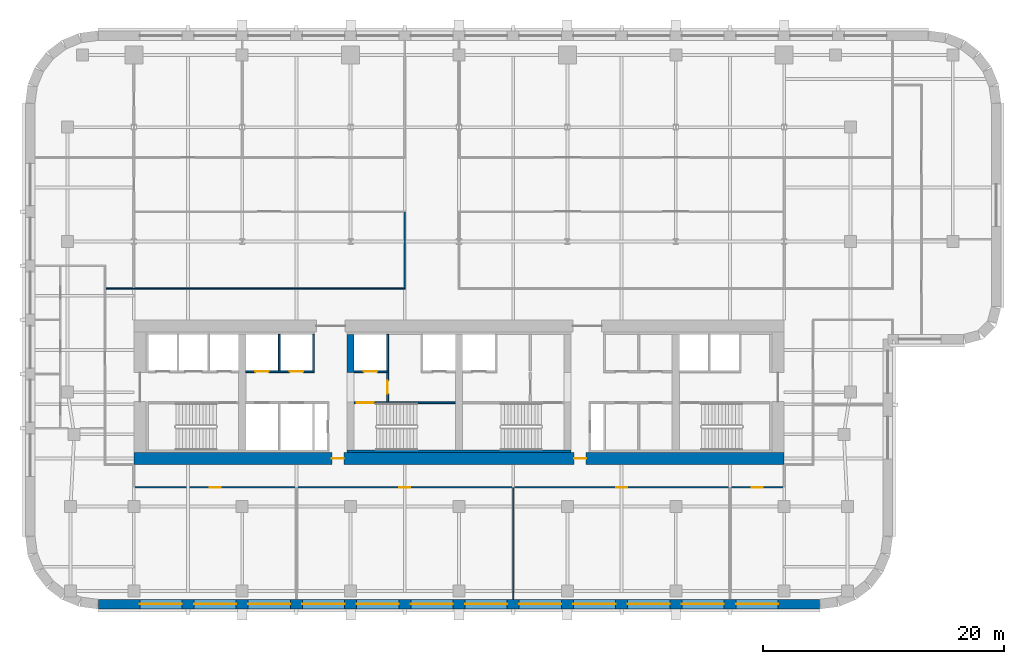
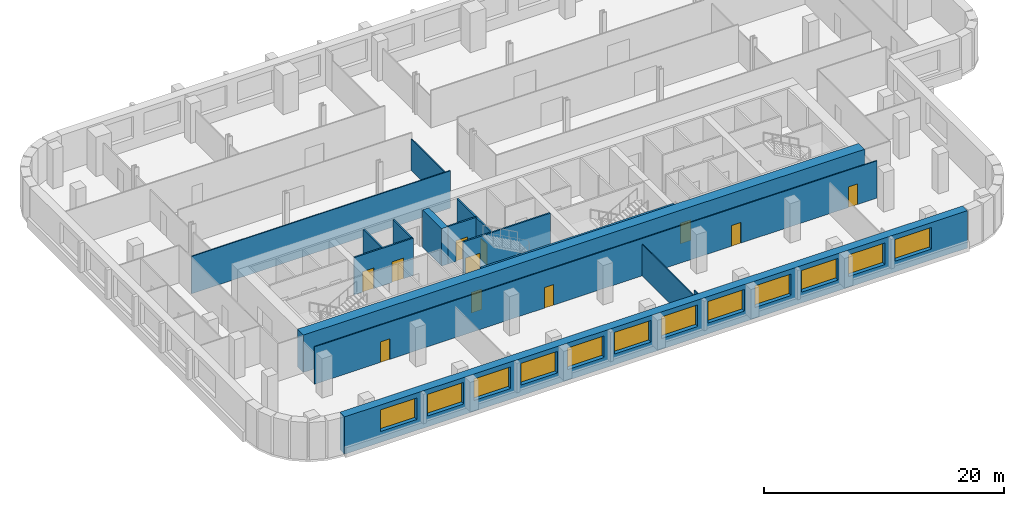
# One storey, part 4 of 10: 16 walls, 12 windows, 11 doors, 23 openings.
"""IFC4 building model written with IfcOpenShell, lengths in metres."""

from ifc_helpers import new_model, si_unit, direction, frame, frame_2d, origin, place, context, subcontext, project, spatial, rectangle, extrude, material, layer, layer_set, type_object, element, fill, save


model = new_model("IFC4")

# Units and contexts
model_context = context("Model", 3, precision=1e-05, world=origin(), true_north=direction((0.0, 1.0)))
body_context = subcontext(model_context, "Body", "Model", "MODEL_VIEW")
ifc_project = project(units=[si_unit("LENGTHUNIT", "METRE"), si_unit("AREAUNIT", "SQUARE_METRE"), si_unit("VOLUMEUNIT", "CUBIC_METRE"), si_unit("PLANEANGLEUNIT", "RADIAN"), si_unit("MASSUNIT", "GRAM", prefix="KILO")], contexts=[model_context])

# Site, building, storey
site_placement = place(None, origin())
site = spatial("IfcSite", under=ifc_project, at=site_placement, CompositionType="ELEMENT")
building_placement = place(site_placement, origin())
building = spatial("IfcBuilding", under=site, at=building_placement, Name="Zellij Exchange Tower", CompositionType="ELEMENT")
storey_placement = place(building_placement, frame((0.0, 0.0, 124.5)))
storey = spatial("IfcBuildingStorey", under=building, at=storey_placement, Name="L27", CompositionType="ELEMENT", Elevation=124.5)

# Walls
ifc_material_1 = material(Name="Concrete C70/85", Category="concrete")
ifc_layer_1 = layer(ifc_material_1, 0.60009765625)
ifc_layer_set_1 = layer_set([ifc_layer_1], Name="Concrete C70/85")
wall_type_1 = type_object("IfcWallType", Name="CORE-CW 600 C70/85", PredefinedType="SHEAR", material=ifc_layer_set_1)
wall_1_placement = place(storey_placement, frame((-9.0, -6.375, 0.0), z_axis=(0.0, 0.0, 1.0), x_axis=(0.0, 1.0, 0.0)))
element("IfcWall", 1, at=wall_1_placement, inside=storey, type_object=wall_type_1, Name="Core cross wall pier x -9 b L27", PredefinedType="SHEAR", context=body_context, shape_type="SweptSolid", body=[
    extrude(rectangle(XDim=3.175048828125, YDim=0.60009765625, at=frame_2d((1.58740234375, 0.0))), origin(), (0.0, 0.0, 1.0), 3.800048828125),
])
ifc_material_2 = material(Name="Concrete C30/37", Category="concrete")
ifc_layer_2 = layer(ifc_material_2, 0.199951171875)
ifc_layer_set_2 = layer_set([ifc_layer_2], Name="Concrete C30/37")
wall_type_2 = type_object("IfcWallType", Name="CORE-LW 200 C30/37", PredefinedType="SHEAR", material=ifc_layer_set_2)
wall_2_placement = place(storey_placement, frame((-9.300048828125, -12.89990234375, 0.0), z_axis=(0.0, 0.0, 1.0), x_axis=(1.0, 0.0, 0.0)))
element("IfcWall", 2, at=wall_2_placement, inside=storey, type_object=wall_type_2, Name="Core wall lining rear.1 L27", PredefinedType="SHEAR", context=body_context, shape_type="SweptSolid", body=[
    extrude(rectangle(XDim=18.60009765625, YDim=0.199951171875, at=frame_2d((9.300048828125, 0.0))), origin(), (0.0, 0.0, 1.0), 3.800048828125),
])

# Wall, opening, door
ifc_material_3 = material(Name="Gypsum shaft wall system")
ifc_layer_3 = layer(ifc_material_3, 0.14990234375)
ifc_layer_set_3 = layer_set([ifc_layer_3], Name="Gypsum shaft wall system")
wall_type_3 = type_object("IfcWallType", Name="CORE-PW 150 Firefighting lobby wall", PredefinedType="PARTITIONING", material=ifc_layer_set_3)
wall_3_placement = place(storey_placement, frame((-5.925048828125, -8.800048828125, 0.0), z_axis=(0.0, 0.0, 1.0), x_axis=(0.0, 1.0, 0.0)))
wall_3 = element("IfcWall", 3, at=wall_3_placement, inside=storey, type_object=wall_type_3, Name="Firefighting lobby wall L27", PredefinedType="PARTITIONING", context=body_context, shape_type="SweptSolid", body=[
    extrude(rectangle(XDim=2.425048828125, YDim=0.14990234375, at=frame_2d((1.21240234375, 0.0))), origin(), (0.0, 0.0, 1.0), 3.800048828125),
])
opening_1_placement = place(wall_3_placement, frame((0.662109375, 0.0, 0.0)))
opening_1 = element("IfcOpeningElement", 4, at=opening_1_placement, cuts=wall_3, Name="Opening CA-15.15", PredefinedType="OPENING", context=body_context, shape_type="SweptSolid", body=[
    extrude(rectangle(XDim=1.10009765625, YDim=2.10009765625, at=frame_2d((0.550048828125, 1.050048828125))), frame((0.0, 0.0869140625, 0.0), z_axis=(0.0, -1.0, 0.0), x_axis=(1.0, 0.0, 0.0)), (0.0, 0.0, 1.0), 0.173828125),
])
ifc_material_4 = material(Name="Hollow metal fire door")
door_type_1 = type_object("IfcDoorType", Name="CORE-D F Firefighting lobby door 1100x2100 1 HR", OperationType="NOTDEFINED", PredefinedType="DOOR", material=ifc_material_4)
door_1_placement = place(opening_1_placement, origin())
door_1 = element("IfcDoor", 5, at=door_1_placement, inside=storey, type_object=door_type_1, Name="Firefighting lobby door CA-15.15", OperationType="SINGLE_SWING_LEFT", OverallHeight=2.10009765625, OverallWidth=1.10009765625, PredefinedType="DOOR", context=body_context, shape_type="SweptSolid", body=[
    extrude(rectangle(XDim=1.10009765625, YDim=2.10009765625, at=frame_2d((0.550048828125, 1.050048828125))), frame((0.0, 0.02490234375, 0.0), z_axis=(0.0, -1.0, 0.0), x_axis=(1.0, 0.0, 0.0)), (0.0, 0.0, 1.0), 0.050048828125),
])
fill(opening_1, door_1)

# Walls
ifc_layer_4 = layer(ifc_material_3, 0.14990234375)
ifc_layer_set_4 = layer_set([ifc_layer_4], Name="Gypsum shaft wall system")
wall_type_4 = type_object("IfcWallType", Name="CORE-PW 150 Lift shaft wall", PredefinedType="PARTITIONING", material=ifc_layer_set_4)
for number, where, z_axis, x_axis, name in (
    (6, (-12.074951171875, -6.22509765625, 0.0), (0.0, 0.0, 1.0), (0.0, 1.0, 0.0), "Lift shaft wall L27"),
    (7, (-14.925048828125, -6.22509765625, 0.0), (0.0, 0.0, 1.0), (0.0, 1.0, 0.0), "Lift shaft wall L27"),
    (8, (-5.925048828125, -6.22509765625, 0.0), (0.0, 0.0, 1.0), (0.0, 1.0, 0.0), "Lift shaft wall L27"),
):
    element("IfcWall", number, at=place(storey_placement, frame(where, z_axis=z_axis, x_axis=x_axis)), inside=storey, type_object=wall_type_4, Name=name, PredefinedType="PARTITIONING", context=body_context, shape_type="SweptSolid", body=[
        extrude(rectangle(XDim=3.025146484375, YDim=0.14990234375, at=frame_2d((1.5126953125, 0.0))), origin(), (0.0, 0.0, 1.0), 3.800048828125),
    ])

# Wall, openings, doors
wall_4_placement = place(storey_placement, frame((-17.699951171875, -6.300048828125, 0.0), z_axis=(0.0, 0.0, 1.0), x_axis=(1.0, 0.0, 0.0)))
wall_4 = element("IfcWall", 9, at=wall_4_placement, inside=storey, type_object=wall_type_4, Name="Lift shaft wall L27", PredefinedType="PARTITIONING", context=body_context, shape_type="SweptSolid", body=[
    extrude(rectangle(XDim=5.699951171875, YDim=0.14990234375, at=frame_2d((2.85009765625, 0.0))), origin(), (0.0, 0.0, 1.0), 3.800048828125),
])
opening_2_placement = place(wall_4_placement, frame((0.800048828125, 0.0, 0.0)))
opening_2 = element("IfcOpeningElement", 10, at=opening_2_placement, cuts=wall_4, Name="Opening CA-15.07", PredefinedType="OPENING", context=body_context, shape_type="SweptSolid", body=[
    extrude(rectangle(XDim=1.10009765625, YDim=2.10009765625, at=frame_2d((0.550048828125, 1.050048828125))), frame((0.0, 0.0869140625, 0.0), z_axis=(0.0, -1.0, 0.0), x_axis=(1.0, 0.0, 0.0)), (0.0, 0.0, 1.0), 0.173828125),
])
opening_3_placement = place(wall_4_placement, frame((3.64990234375, 0.0, 0.0)))
opening_3 = element("IfcOpeningElement", 11, at=opening_3_placement, cuts=wall_4, Name="Opening CA-15.09", PredefinedType="OPENING", context=body_context, shape_type="SweptSolid", body=[
    extrude(rectangle(XDim=1.10009765625, YDim=2.10009765625, at=frame_2d((0.550048828125, 1.050048828125))), frame((0.0, 0.0869140625, 0.0), z_axis=(0.0, -1.0, 0.0), x_axis=(1.0, 0.0, 0.0)), (0.0, 0.0, 1.0), 0.173828125),
])
door_type_2 = type_object("IfcDoorType", Name="CORE-D LD Lift landing door 1100x2100 1.5 HR", OperationType="NOTDEFINED", PredefinedType="DOOR", material=ifc_material_4)
door_2_placement = place(opening_2_placement, origin())
door_2 = element("IfcDoor", 12, at=door_2_placement, inside=storey, type_object=door_type_2, Name="Lift landing door CA-15.07", OperationType="SLIDING_TO_LEFT", OverallHeight=2.10009765625, OverallWidth=1.10009765625, PredefinedType="DOOR", context=body_context, shape_type="SweptSolid", body=[
    extrude(rectangle(XDim=1.10009765625, YDim=2.10009765625, at=frame_2d((0.550048828125, 1.050048828125))), frame((0.0, 0.02490234375, 0.0), z_axis=(0.0, -1.0, 0.0), x_axis=(1.0, 0.0, 0.0)), (0.0, 0.0, 1.0), 0.050048828125),
])
fill(opening_2, door_2)
door_3_placement = place(opening_3_placement, origin())
door_3 = element("IfcDoor", 13, at=door_3_placement, inside=storey, type_object=door_type_2, Name="Lift landing door CA-15.09", OperationType="SLIDING_TO_LEFT", OverallHeight=2.10009765625, OverallWidth=1.10009765625, PredefinedType="DOOR", context=body_context, shape_type="SweptSolid", body=[
    extrude(rectangle(XDim=1.10009765625, YDim=2.10009765625, at=frame_2d((0.550048828125, 1.050048828125))), frame((0.0, 0.02490234375, 0.0), z_axis=(0.0, -1.0, 0.0), x_axis=(1.0, 0.0, 0.0)), (0.0, 0.0, 1.0), 0.050048828125),
])
fill(opening_3, door_3)

# Wall, opening, door
wall_5_placement = place(storey_placement, frame((-8.699951171875, -6.300048828125, 0.0), z_axis=(0.0, 0.0, 1.0), x_axis=(1.0, 0.0, 0.0)))
wall_5 = element("IfcWall", 14, at=wall_5_placement, inside=storey, type_object=wall_type_4, Name="Lift shaft wall L27", PredefinedType="PARTITIONING", context=body_context, shape_type="SweptSolid", body=[
    extrude(rectangle(XDim=2.849853515625, YDim=0.14990234375, at=frame_2d((1.4248046875, 0.0))), origin(), (0.0, 0.0, 1.0), 3.800048828125),
])
opening_4_placement = place(wall_5_placement, frame((0.800048828125, 0.0, 0.0)))
opening_4 = element("IfcOpeningElement", 15, at=opening_4_placement, cuts=wall_5, Name="Opening CA-15.14", PredefinedType="OPENING", context=body_context, shape_type="SweptSolid", body=[
    extrude(rectangle(XDim=1.10009765625, YDim=2.10009765625, at=frame_2d((0.550048828125, 1.050048828125))), frame((0.0, 0.0869140625, 0.0), z_axis=(0.0, -1.0, 0.0), x_axis=(1.0, 0.0, 0.0)), (0.0, 0.0, 1.0), 0.173828125),
])
door_4_placement = place(opening_4_placement, origin())
door_4 = element("IfcDoor", 16, at=door_4_placement, inside=storey, type_object=door_type_2, Name="Lift landing door CA-15.14", OperationType="SLIDING_TO_RIGHT", OverallHeight=2.10009765625, OverallWidth=1.10009765625, PredefinedType="DOOR", context=body_context, shape_type="SweptSolid", body=[
    extrude(rectangle(XDim=1.10009765625, YDim=2.10009765625, at=frame_2d((0.550048828125, 1.050048828125))), frame((0.0, 0.02490234375, 0.0), z_axis=(0.0, -1.0, 0.0), x_axis=(1.0, 0.0, 0.0)), (0.0, 0.0, 1.0), 0.050048828125),
])
fill(opening_4, door_4)

# Wall, openings, doors
ifc_layer_5 = layer(ifc_material_1, 1.0)
ifc_layer_set_5 = layer_set([ifc_layer_5], Name="Concrete C70/85")
wall_type_5 = type_object("IfcWallType", Name="CORE-SW 1000 C70/85", PredefinedType="SHEAR", material=ifc_layer_set_5)
wall_6_placement = place(storey_placement, frame((-27.0, -13.5, 0.0), z_axis=(0.0, 0.0, 1.0), x_axis=(1.0, 0.0, 0.0)))
wall_6 = element("IfcWall", 17, at=wall_6_placement, inside=storey, type_object=wall_type_5, Name="Core shear wall rear L27", PredefinedType="SHEAR", context=body_context, shape_type="SweptSolid", body=[
    extrude(rectangle(XDim=54.0, YDim=1.0, at=frame_2d((27.0, 0.0))), origin(), (0.0, 0.0, 1.0), 3.800048828125),
])
opening_5_placement = place(wall_6_placement, frame((16.449951171875, 0.0, 0.0)))
opening_5 = element("IfcOpeningElement", 18, at=opening_5_placement, cuts=wall_6, Name="Opening CA-15.12", PredefinedType="OPENING", context=body_context, shape_type="SweptSolid", body=[
    extrude(rectangle(XDim=1.0, YDim=2.10009765625, at=frame_2d((0.5, 1.050048828125))), frame((0.0, 0.511962890625, 0.0), z_axis=(0.0, -1.0, 0.0), x_axis=(1.0, 0.0, 0.0)), (0.0, 0.0, 1.0), 1.02392578125),
])
opening_6_placement = place(wall_6_placement, frame((36.550048828125, 0.0, 0.0)))
opening_6 = element("IfcOpeningElement", 19, at=opening_6_placement, cuts=wall_6, Name="Opening CA-15.20", PredefinedType="OPENING", context=body_context, shape_type="SweptSolid", body=[
    extrude(rectangle(XDim=1.0, YDim=2.10009765625, at=frame_2d((0.5, 1.050048828125))), frame((0.0, 0.511962890625, 0.0), z_axis=(0.0, -1.0, 0.0), x_axis=(1.0, 0.0, 0.0)), (0.0, 0.0, 1.0), 1.02392578125),
])
door_type_3 = type_object("IfcDoorType", Name="CORE-D CR Core rear door 1000x2100 20 MIN", OperationType="NOTDEFINED", PredefinedType="DOOR", material=ifc_material_4)
door_5_placement = place(opening_5_placement, origin())
door_5 = element("IfcDoor", 20, at=door_5_placement, inside=storey, type_object=door_type_3, Name="Core rear door CA-15.12", OperationType="SINGLE_SWING_RIGHT", OverallHeight=2.10009765625, OverallWidth=1.0, PredefinedType="DOOR", context=body_context, shape_type="SweptSolid", body=[
    extrude(rectangle(XDim=1.0, YDim=2.10009765625, at=frame_2d((0.5, 1.050048828125))), frame((0.0, 0.02490234375, 0.0), z_axis=(0.0, -1.0, 0.0), x_axis=(1.0, 0.0, 0.0)), (0.0, 0.0, 1.0), 0.050048828125),
])
fill(opening_5, door_5)
door_6_placement = place(opening_6_placement, origin())
door_6 = element("IfcDoor", 21, at=door_6_placement, inside=storey, type_object=door_type_3, Name="Core rear door CA-15.20", OperationType="SINGLE_SWING_LEFT", OverallHeight=2.10009765625, OverallWidth=1.0, PredefinedType="DOOR", context=body_context, shape_type="SweptSolid", body=[
    extrude(rectangle(XDim=1.0, YDim=2.10009765625, at=frame_2d((0.5, 1.050048828125))), frame((0.0, 0.02490234375, 0.0), z_axis=(0.0, -1.0, 0.0), x_axis=(1.0, 0.0, 0.0)), (0.0, 0.0, 1.0), 0.050048828125),
])
fill(opening_6, door_6)

# Wall, opening, door
ifc_layer_6 = layer(ifc_material_1, 0.14990234375)
ifc_layer_set_6 = layer_set([ifc_layer_6], Name="Concrete C70/85")
wall_type_6 = type_object("IfcWallType", Name="CORE-SWS 150 C70/85", PredefinedType="SHEAR", material=ifc_layer_set_6)
wall_7_placement = place(storey_placement, frame((-8.699951171875, -8.875, 0.0), z_axis=(0.0, 0.0, 1.0), x_axis=(1.0, 0.0, 0.0)))
wall_7 = element("IfcWall", 22, at=wall_7_placement, inside=storey, type_object=wall_type_6, Name="Stair enclosure wall L27", PredefinedType="SHEAR", context=body_context, shape_type="SweptSolid", body=[
    extrude(rectangle(XDim=8.39990234375, YDim=0.14990234375, at=frame_2d((4.199951171875, 0.0))), origin(), (0.0, 0.0, 1.0), 3.800048828125),
])
opening_7_placement = place(wall_7_placement, frame((0.22509765625, 0.0, 0.0)))
opening_7 = element("IfcOpeningElement", 23, at=opening_7_placement, cuts=wall_7, Name="Opening CA-15.13", PredefinedType="OPENING", context=body_context, shape_type="SweptSolid", body=[
    extrude(rectangle(XDim=1.39990234375, YDim=2.10009765625, at=frame_2d((0.699951171875, 1.050048828125))), frame((0.0, 0.0869140625, 0.0), z_axis=(0.0, -1.0, 0.0), x_axis=(1.0, 0.0, 0.0)), (0.0, 0.0, 1.0), 0.173828125),
])
door_type_4 = type_object("IfcDoorType", Name="CORE-D SD Stair door 1400x2100 1.5 HR", OperationType="NOTDEFINED", PredefinedType="DOOR", material=ifc_material_4)
door_7_placement = place(opening_7_placement, origin())
door_7 = element("IfcDoor", 24, at=door_7_placement, inside=storey, type_object=door_type_4, Name="Stair door CA-15.13", OperationType="DOUBLE_DOOR_SINGLE_SWING", OverallHeight=2.10009765625, OverallWidth=1.39990234375, PredefinedType="DOOR", context=body_context, shape_type="SweptSolid", body=[
    extrude(rectangle(XDim=1.39990234375, YDim=2.10009765625, at=frame_2d((0.699951171875, 1.050048828125))), frame((0.0, 0.02490234375, 0.0), z_axis=(0.0, -1.0, 0.0), x_axis=(1.0, 0.0, 0.0)), (0.0, 0.0, 1.0), 0.050048828125),
])
fill(opening_7, door_7)

# Wall, openings, windows
ifc_material_5 = material(Name="Precast concrete C40/50", Category="concrete")
ifc_layer_7 = layer(ifc_material_5, 0.800048828125)
ifc_layer_set_7 = layer_set([ifc_layer_7], Name="Precast concrete C40/50")
wall_type_7 = type_object("IfcWallType", Name="ENV-EW1 Precast stone-piered wall 800", PredefinedType="SOLIDWALL", material=ifc_layer_set_7)
wall_8_placement = place(storey_placement, frame((-29.947509765625, -25.60009765625, 0.0), z_axis=(0.0, 0.0, 1.0), x_axis=(1.0, 0.0, 0.0)))
wall_8 = element("IfcWall", 25, at=wall_8_placement, inside=storey, type_object=wall_type_7, Name="fac.L27.00", PredefinedType="SOLIDWALL", context=body_context, shape_type="SweptSolid", body=[
    extrude(rectangle(XDim=59.89501953125, YDim=0.800048828125, at=frame_2d((29.947509765625, 0.0))), origin(), (0.0, 0.0, 1.0), 3.800048828125),
])
opening_8_placement = place(wall_8_placement, frame((3.447509765625, 0.0, 1.10009765625)))
opening_8 = element("IfcOpeningElement", 26, at=opening_8_placement, cuts=wall_8, Name="Opening FZ2.01", PredefinedType="OPENING", context=body_context, shape_type="SweptSolid", body=[
    extrude(rectangle(XDim=3.5, YDim=2.199951171875, at=frame_2d((1.75, 1.10009765625))), frame((0.0, 0.412109375, 0.0), z_axis=(0.0, -1.0, 0.0), x_axis=(1.0, 0.0, 0.0)), (0.0, 0.0, 1.0), 0.823974609375),
])
opening_9_placement = place(wall_8_placement, frame((7.947509765625, 0.0, 1.10009765625)))
opening_9 = element("IfcOpeningElement", 27, at=opening_9_placement, cuts=wall_8, Name="Opening FZ2.02", PredefinedType="OPENING", context=body_context, shape_type="SweptSolid", body=[
    extrude(rectangle(XDim=3.5, YDim=2.199951171875, at=frame_2d((1.75, 1.10009765625))), frame((0.0, 0.412109375, 0.0), z_axis=(0.0, -1.0, 0.0), x_axis=(1.0, 0.0, 0.0)), (0.0, 0.0, 1.0), 0.823974609375),
])
opening_10_placement = place(wall_8_placement, frame((12.447509765625, 0.0, 1.10009765625)))
opening_10 = element("IfcOpeningElement", 28, at=opening_10_placement, cuts=wall_8, Name="Opening FZ2.03", PredefinedType="OPENING", context=body_context, shape_type="SweptSolid", body=[
    extrude(rectangle(XDim=3.5, YDim=2.199951171875, at=frame_2d((1.75, 1.10009765625))), frame((0.0, 0.412109375, 0.0), z_axis=(0.0, -1.0, 0.0), x_axis=(1.0, 0.0, 0.0)), (0.0, 0.0, 1.0), 0.823974609375),
])
opening_11_placement = place(wall_8_placement, frame((16.947509765625, 0.0, 1.10009765625)))
opening_11 = element("IfcOpeningElement", 29, at=opening_11_placement, cuts=wall_8, Name="Opening FZ2.04", PredefinedType="OPENING", context=body_context, shape_type="SweptSolid", body=[
    extrude(rectangle(XDim=3.5, YDim=2.199951171875, at=frame_2d((1.75, 1.10009765625))), frame((0.0, 0.412109375, 0.0), z_axis=(0.0, -1.0, 0.0), x_axis=(1.0, 0.0, 0.0)), (0.0, 0.0, 1.0), 0.823974609375),
])
opening_12_placement = place(wall_8_placement, frame((21.447509765625, 0.0, 1.10009765625)))
opening_12 = element("IfcOpeningElement", 30, at=opening_12_placement, cuts=wall_8, Name="Opening FZ2.05", PredefinedType="OPENING", context=body_context, shape_type="SweptSolid", body=[
    extrude(rectangle(XDim=3.5, YDim=2.199951171875, at=frame_2d((1.75, 1.10009765625))), frame((0.0, 0.412109375, 0.0), z_axis=(0.0, -1.0, 0.0), x_axis=(1.0, 0.0, 0.0)), (0.0, 0.0, 1.0), 0.823974609375),
])
opening_13_placement = place(wall_8_placement, frame((25.947509765625, 0.0, 1.10009765625)))
opening_13 = element("IfcOpeningElement", 31, at=opening_13_placement, cuts=wall_8, Name="Opening FZ2.06", PredefinedType="OPENING", context=body_context, shape_type="SweptSolid", body=[
    extrude(rectangle(XDim=3.5, YDim=2.199951171875, at=frame_2d((1.75, 1.10009765625))), frame((0.0, 0.412109375, 0.0), z_axis=(0.0, -1.0, 0.0), x_axis=(1.0, 0.0, 0.0)), (0.0, 0.0, 1.0), 0.823974609375),
])
opening_14_placement = place(wall_8_placement, frame((30.447509765625, 0.0, 1.10009765625)))
opening_14 = element("IfcOpeningElement", 32, at=opening_14_placement, cuts=wall_8, Name="Opening FZ2.07", PredefinedType="OPENING", context=body_context, shape_type="SweptSolid", body=[
    extrude(rectangle(XDim=3.5, YDim=2.199951171875, at=frame_2d((1.75, 1.10009765625))), frame((0.0, 0.412109375, 0.0), z_axis=(0.0, -1.0, 0.0), x_axis=(1.0, 0.0, 0.0)), (0.0, 0.0, 1.0), 0.823974609375),
])
opening_15_placement = place(wall_8_placement, frame((34.947509765625, 0.0, 1.10009765625)))
opening_15 = element("IfcOpeningElement", 33, at=opening_15_placement, cuts=wall_8, Name="Opening FZ2.08", PredefinedType="OPENING", context=body_context, shape_type="SweptSolid", body=[
    extrude(rectangle(XDim=3.5, YDim=2.199951171875, at=frame_2d((1.75, 1.10009765625))), frame((0.0, 0.412109375, 0.0), z_axis=(0.0, -1.0, 0.0), x_axis=(1.0, 0.0, 0.0)), (0.0, 0.0, 1.0), 0.823974609375),
])
opening_16_placement = place(wall_8_placement, frame((39.447509765625, 0.0, 1.10009765625)))
opening_16 = element("IfcOpeningElement", 34, at=opening_16_placement, cuts=wall_8, Name="Opening FZ2.09", PredefinedType="OPENING", context=body_context, shape_type="SweptSolid", body=[
    extrude(rectangle(XDim=3.5, YDim=2.199951171875, at=frame_2d((1.75, 1.10009765625))), frame((0.0, 0.412109375, 0.0), z_axis=(0.0, -1.0, 0.0), x_axis=(1.0, 0.0, 0.0)), (0.0, 0.0, 1.0), 0.823974609375),
])
opening_17_placement = place(wall_8_placement, frame((43.947509765625, 0.0, 1.10009765625)))
opening_17 = element("IfcOpeningElement", 35, at=opening_17_placement, cuts=wall_8, Name="Opening FZ2.10", PredefinedType="OPENING", context=body_context, shape_type="SweptSolid", body=[
    extrude(rectangle(XDim=3.5, YDim=2.199951171875, at=frame_2d((1.75, 1.10009765625))), frame((0.0, 0.412109375, 0.0), z_axis=(0.0, -1.0, 0.0), x_axis=(1.0, 0.0, 0.0)), (0.0, 0.0, 1.0), 0.823974609375),
])
opening_18_placement = place(wall_8_placement, frame((48.447509765625, 0.0, 1.10009765625)))
opening_18 = element("IfcOpeningElement", 36, at=opening_18_placement, cuts=wall_8, Name="Opening FZ2.11", PredefinedType="OPENING", context=body_context, shape_type="SweptSolid", body=[
    extrude(rectangle(XDim=3.5, YDim=2.199951171875, at=frame_2d((1.75, 1.10009765625))), frame((0.0, 0.412109375, 0.0), z_axis=(0.0, -1.0, 0.0), x_axis=(1.0, 0.0, 0.0)), (0.0, 0.0, 1.0), 0.823974609375),
])
opening_19_placement = place(wall_8_placement, frame((52.947509765625, 0.0, 1.10009765625)))
opening_19 = element("IfcOpeningElement", 37, at=opening_19_placement, cuts=wall_8, Name="Opening FZ2.12", PredefinedType="OPENING", context=body_context, shape_type="SweptSolid", body=[
    extrude(rectangle(XDim=3.5, YDim=2.199951171875, at=frame_2d((1.75, 1.10009765625))), frame((0.0, 0.412109375, 0.0), z_axis=(0.0, -1.0, 0.0), x_axis=(1.0, 0.0, 0.0)), (0.0, 0.0, 1.0), 0.823974609375),
])
ifc_material_6 = material(Name="Aluminium frame with insulating glass", Category="aluminium")
window_type = type_object("IfcWindowType", Name="ENV-W7 Window 3500x2200", PartitioningType="SINGLE_PANEL", PredefinedType="WINDOW", material=ifc_material_6)
window_1_placement = place(opening_8_placement, origin())
window_1 = element("IfcWindow", 38, at=window_1_placement, inside=storey, type_object=window_type, Name="Window FZ2.01", OverallHeight=2.199951171875, OverallWidth=3.5, PartitioningType="SINGLE_PANEL", PredefinedType="WINDOW", context=body_context, shape_type="SweptSolid", body=[
    extrude(rectangle(XDim=3.5, YDim=2.199951171875, at=frame_2d((1.75, 1.10009765625))), frame((0.0, 0.030029296875, 0.0), z_axis=(0.0, -1.0, 0.0), x_axis=(1.0, 0.0, 0.0)), (0.0, 0.0, 1.0), 0.06005859375),
])
fill(opening_8, window_1)
window_2_placement = place(opening_9_placement, origin())
window_2 = element("IfcWindow", 39, at=window_2_placement, inside=storey, type_object=window_type, Name="Window FZ2.02", OverallHeight=2.199951171875, OverallWidth=3.5, PartitioningType="SINGLE_PANEL", PredefinedType="WINDOW", context=body_context, shape_type="SweptSolid", body=[
    extrude(rectangle(XDim=3.5, YDim=2.199951171875, at=frame_2d((1.75, 1.10009765625))), frame((0.0, 0.030029296875, 0.0), z_axis=(0.0, -1.0, 0.0), x_axis=(1.0, 0.0, 0.0)), (0.0, 0.0, 1.0), 0.06005859375),
])
fill(opening_9, window_2)
window_3_placement = place(opening_10_placement, origin())
window_3 = element("IfcWindow", 40, at=window_3_placement, inside=storey, type_object=window_type, Name="Window FZ2.03", OverallHeight=2.199951171875, OverallWidth=3.5, PartitioningType="SINGLE_PANEL", PredefinedType="WINDOW", context=body_context, shape_type="SweptSolid", body=[
    extrude(rectangle(XDim=3.5, YDim=2.199951171875, at=frame_2d((1.75, 1.10009765625))), frame((0.0, 0.030029296875, 0.0), z_axis=(0.0, -1.0, 0.0), x_axis=(1.0, 0.0, 0.0)), (0.0, 0.0, 1.0), 0.06005859375),
])
fill(opening_10, window_3)
window_4_placement = place(opening_11_placement, origin())
window_4 = element("IfcWindow", 41, at=window_4_placement, inside=storey, type_object=window_type, Name="Window FZ2.04", OverallHeight=2.199951171875, OverallWidth=3.5, PartitioningType="SINGLE_PANEL", PredefinedType="WINDOW", context=body_context, shape_type="SweptSolid", body=[
    extrude(rectangle(XDim=3.5, YDim=2.199951171875, at=frame_2d((1.75, 1.10009765625))), frame((0.0, 0.030029296875, 0.0), z_axis=(0.0, -1.0, 0.0), x_axis=(1.0, 0.0, 0.0)), (0.0, 0.0, 1.0), 0.06005859375),
])
fill(opening_11, window_4)
window_5_placement = place(opening_12_placement, origin())
window_5 = element("IfcWindow", 42, at=window_5_placement, inside=storey, type_object=window_type, Name="Window FZ2.05", OverallHeight=2.199951171875, OverallWidth=3.5, PartitioningType="SINGLE_PANEL", PredefinedType="WINDOW", context=body_context, shape_type="SweptSolid", body=[
    extrude(rectangle(XDim=3.5, YDim=2.199951171875, at=frame_2d((1.75, 1.10009765625))), frame((0.0, 0.030029296875, 0.0), z_axis=(0.0, -1.0, 0.0), x_axis=(1.0, 0.0, 0.0)), (0.0, 0.0, 1.0), 0.06005859375),
])
fill(opening_12, window_5)
window_6_placement = place(opening_13_placement, origin())
window_6 = element("IfcWindow", 43, at=window_6_placement, inside=storey, type_object=window_type, Name="Window FZ2.06", OverallHeight=2.199951171875, OverallWidth=3.5, PartitioningType="SINGLE_PANEL", PredefinedType="WINDOW", context=body_context, shape_type="SweptSolid", body=[
    extrude(rectangle(XDim=3.5, YDim=2.199951171875, at=frame_2d((1.75, 1.10009765625))), frame((0.0, 0.030029296875, 0.0), z_axis=(0.0, -1.0, 0.0), x_axis=(1.0, 0.0, 0.0)), (0.0, 0.0, 1.0), 0.06005859375),
])
fill(opening_13, window_6)
window_7_placement = place(opening_14_placement, origin())
window_7 = element("IfcWindow", 44, at=window_7_placement, inside=storey, type_object=window_type, Name="Window FZ2.07", OverallHeight=2.199951171875, OverallWidth=3.5, PartitioningType="SINGLE_PANEL", PredefinedType="WINDOW", context=body_context, shape_type="SweptSolid", body=[
    extrude(rectangle(XDim=3.5, YDim=2.199951171875, at=frame_2d((1.75, 1.10009765625))), frame((0.0, 0.030029296875, 0.0), z_axis=(0.0, -1.0, 0.0), x_axis=(1.0, 0.0, 0.0)), (0.0, 0.0, 1.0), 0.06005859375),
])
fill(opening_14, window_7)
window_8_placement = place(opening_15_placement, origin())
window_8 = element("IfcWindow", 45, at=window_8_placement, inside=storey, type_object=window_type, Name="Window FZ2.08", OverallHeight=2.199951171875, OverallWidth=3.5, PartitioningType="SINGLE_PANEL", PredefinedType="WINDOW", context=body_context, shape_type="SweptSolid", body=[
    extrude(rectangle(XDim=3.5, YDim=2.199951171875, at=frame_2d((1.75, 1.10009765625))), frame((0.0, 0.030029296875, 0.0), z_axis=(0.0, -1.0, 0.0), x_axis=(1.0, 0.0, 0.0)), (0.0, 0.0, 1.0), 0.06005859375),
])
fill(opening_15, window_8)
window_9_placement = place(opening_16_placement, origin())
window_9 = element("IfcWindow", 46, at=window_9_placement, inside=storey, type_object=window_type, Name="Window FZ2.09", OverallHeight=2.199951171875, OverallWidth=3.5, PartitioningType="SINGLE_PANEL", PredefinedType="WINDOW", context=body_context, shape_type="SweptSolid", body=[
    extrude(rectangle(XDim=3.5, YDim=2.199951171875, at=frame_2d((1.75, 1.10009765625))), frame((0.0, 0.030029296875, 0.0), z_axis=(0.0, -1.0, 0.0), x_axis=(1.0, 0.0, 0.0)), (0.0, 0.0, 1.0), 0.06005859375),
])
fill(opening_16, window_9)
window_10_placement = place(opening_17_placement, origin())
window_10 = element("IfcWindow", 47, at=window_10_placement, inside=storey, type_object=window_type, Name="Window FZ2.10", OverallHeight=2.199951171875, OverallWidth=3.5, PartitioningType="SINGLE_PANEL", PredefinedType="WINDOW", context=body_context, shape_type="SweptSolid", body=[
    extrude(rectangle(XDim=3.5, YDim=2.199951171875, at=frame_2d((1.75, 1.10009765625))), frame((0.0, 0.030029296875, 0.0), z_axis=(0.0, -1.0, 0.0), x_axis=(1.0, 0.0, 0.0)), (0.0, 0.0, 1.0), 0.06005859375),
])
fill(opening_17, window_10)
window_11_placement = place(opening_18_placement, origin())
window_11 = element("IfcWindow", 48, at=window_11_placement, inside=storey, type_object=window_type, Name="Window FZ2.11", OverallHeight=2.199951171875, OverallWidth=3.5, PartitioningType="SINGLE_PANEL", PredefinedType="WINDOW", context=body_context, shape_type="SweptSolid", body=[
    extrude(rectangle(XDim=3.5, YDim=2.199951171875, at=frame_2d((1.75, 1.10009765625))), frame((0.0, 0.030029296875, 0.0), z_axis=(0.0, -1.0, 0.0), x_axis=(1.0, 0.0, 0.0)), (0.0, 0.0, 1.0), 0.06005859375),
])
fill(opening_18, window_11)
window_12_placement = place(opening_19_placement, origin())
window_12 = element("IfcWindow", 49, at=window_12_placement, inside=storey, type_object=window_type, Name="Window FZ2.12", OverallHeight=2.199951171875, OverallWidth=3.5, PartitioningType="SINGLE_PANEL", PredefinedType="WINDOW", context=body_context, shape_type="SweptSolid", body=[
    extrude(rectangle(XDim=3.5, YDim=2.199951171875, at=frame_2d((1.75, 1.10009765625))), frame((0.0, 0.030029296875, 0.0), z_axis=(0.0, -1.0, 0.0), x_axis=(1.0, 0.0, 0.0)), (0.0, 0.0, 1.0), 0.06005859375),
])
fill(opening_19, window_12)

# Walls
ifc_material_7 = material(Name="Gypsum board partition on steel studs", Category="steel")
ifc_layer_8 = layer(ifc_material_7, 0.10009765625)
ifc_layer_set_8 = layer_set([ifc_layer_8], Name="Gypsum board partition on steel studs")
wall_type_8 = type_object("IfcWallType", Name="FIT-PARTITION-100", PredefinedType="PARTITIONING", material=ifc_layer_set_8)
wall_9_placement = place(storey_placement, frame((4.5, -25.199951171875, 0.0), z_axis=(0.0, 0.0, 1.0), x_axis=(0.0, 1.0, 0.0)))
element("IfcWall", 50, at=wall_9_placement, inside=storey, type_object=wall_type_8, Name="FIT-PARTITION-100 003", PredefinedType="PARTITIONING", context=body_context, shape_type="SweptSolid", body=[
    extrude(rectangle(XDim=0.58544921875, YDim=0.10009765625, at=frame_2d((0.292724609375, 0.0))), origin(), (0.0, 0.0, 1.0), 3.800048828125),
])
wall_10_placement = place(storey_placement, frame((4.5, -24.614501953125, 0.0), z_axis=(0.0, 0.0, 1.0), x_axis=(0.0, 1.0, 0.0)))
element("IfcWall", 51, at=wall_10_placement, inside=storey, type_object=wall_type_8, Name="FIT-PARTITION-100 004", PredefinedType="PARTITIONING", context=body_context, shape_type="SweptSolid", body=[
    extrude(rectangle(XDim=8.66455078125, YDim=0.10009765625, at=frame_2d((4.332275390625, 0.0))), origin(), (0.0, 0.0, 1.0), 3.197998046875),
])

# Wall, openings, doors
wall_11_placement = place(storey_placement, frame((-27.050048828125, -15.89990234375, 0.0), z_axis=(0.0, 0.0, 1.0), x_axis=(1.0, 0.0, 0.0)))
wall_11 = element("IfcWall", 52, at=wall_11_placement, inside=storey, type_object=wall_type_8, Name="FIT-PARTITION-100 007", PredefinedType="PARTITIONING", context=body_context, shape_type="SweptSolid", body=[
    extrude(rectangle(XDim=54.10009765625, YDim=0.10009765625, at=frame_2d((27.050048828125, 0.0))), origin(), (0.0, 0.0, 1.0), 3.800048828125),
])
opening_20_placement = place(wall_11_placement, frame((6.35009765625, 0.0, 0.0)))
opening_20 = element("IfcOpeningElement", 53, at=opening_20_placement, cuts=wall_11, Name="Opening TF.01", PredefinedType="OPENING", context=body_context, shape_type="SweptSolid", body=[
    extrude(rectangle(XDim=0.89990234375, YDim=2.10009765625, at=frame_2d((0.449951171875, 1.050048828125))), frame((0.0, 0.06201171875, 0.0), z_axis=(0.0, -1.0, 0.0), x_axis=(1.0, 0.0, 0.0)), (0.0, 0.0, 1.0), 0.1240234375),
])
opening_21_placement = place(wall_11_placement, frame((22.10009765625, 0.0, 0.0)))
opening_21 = element("IfcOpeningElement", 54, at=opening_21_placement, cuts=wall_11, Name="Opening TF.02", PredefinedType="OPENING", context=body_context, shape_type="SweptSolid", body=[
    extrude(rectangle(XDim=0.89990234375, YDim=2.10009765625, at=frame_2d((0.449951171875, 1.050048828125))), frame((0.0, 0.06201171875, 0.0), z_axis=(0.0, -1.0, 0.0), x_axis=(1.0, 0.0, 0.0)), (0.0, 0.0, 1.0), 0.1240234375),
])
opening_22_placement = place(wall_11_placement, frame((40.10009765625, 0.0, 0.0)))
opening_22 = element("IfcOpeningElement", 55, at=opening_22_placement, cuts=wall_11, Name="Opening TF.03", PredefinedType="OPENING", context=body_context, shape_type="SweptSolid", body=[
    extrude(rectangle(XDim=0.89990234375, YDim=2.10009765625, at=frame_2d((0.449951171875, 1.050048828125))), frame((0.0, 0.06201171875, 0.0), z_axis=(0.0, -1.0, 0.0), x_axis=(1.0, 0.0, 0.0)), (0.0, 0.0, 1.0), 0.1240234375),
])
opening_23_placement = place(wall_11_placement, frame((51.35009765625, 0.0, 0.0)))
opening_23 = element("IfcOpeningElement", 56, at=opening_23_placement, cuts=wall_11, Name="Opening TF.04", PredefinedType="OPENING", context=body_context, shape_type="SweptSolid", body=[
    extrude(rectangle(XDim=0.89990234375, YDim=2.10009765625, at=frame_2d((0.449951171875, 1.050048828125))), frame((0.0, 0.06201171875, 0.0), z_axis=(0.0, -1.0, 0.0), x_axis=(1.0, 0.0, 0.0)), (0.0, 0.0, 1.0), 0.1240234375),
])
ifc_material_8 = material(Name="Timber door set", Category="wood")
door_type_5 = type_object("IfcDoorType", Name="FIT-D1-ROOM-900X2100", OperationType="SINGLE_SWING_LEFT", PredefinedType="DOOR", material=ifc_material_8)
door_8_placement = place(opening_20_placement, origin())
door_8 = element("IfcDoor", 57, at=door_8_placement, inside=storey, type_object=door_type_5, Name="Door TF.01", OperationType="SINGLE_SWING_LEFT", OverallHeight=2.10009765625, OverallWidth=0.89990234375, PredefinedType="DOOR", context=body_context, shape_type="SweptSolid", body=[
    extrude(rectangle(XDim=0.89990234375, YDim=2.10009765625, at=frame_2d((0.449951171875, 1.050048828125))), frame((0.0, 0.02490234375, 0.0), z_axis=(0.0, -1.0, 0.0), x_axis=(1.0, 0.0, 0.0)), (0.0, 0.0, 1.0), 0.050048828125),
])
fill(opening_20, door_8)
door_9_placement = place(opening_21_placement, origin())
door_9 = element("IfcDoor", 58, at=door_9_placement, inside=storey, type_object=door_type_5, Name="Door TF.02", OperationType="SINGLE_SWING_LEFT", OverallHeight=2.10009765625, OverallWidth=0.89990234375, PredefinedType="DOOR", context=body_context, shape_type="SweptSolid", body=[
    extrude(rectangle(XDim=0.89990234375, YDim=2.10009765625, at=frame_2d((0.449951171875, 1.050048828125))), frame((0.0, 0.02490234375, 0.0), z_axis=(0.0, -1.0, 0.0), x_axis=(1.0, 0.0, 0.0)), (0.0, 0.0, 1.0), 0.050048828125),
])
fill(opening_21, door_9)
door_10_placement = place(opening_22_placement, origin())
door_10 = element("IfcDoor", 59, at=door_10_placement, inside=storey, type_object=door_type_5, Name="Door TF.03", OperationType="SINGLE_SWING_LEFT", OverallHeight=2.10009765625, OverallWidth=0.89990234375, PredefinedType="DOOR", context=body_context, shape_type="SweptSolid", body=[
    extrude(rectangle(XDim=0.89990234375, YDim=2.10009765625, at=frame_2d((0.449951171875, 1.050048828125))), frame((0.0, 0.02490234375, 0.0), z_axis=(0.0, -1.0, 0.0), x_axis=(1.0, 0.0, 0.0)), (0.0, 0.0, 1.0), 0.050048828125),
])
fill(opening_22, door_10)
door_11_placement = place(opening_23_placement, origin())
door_11 = element("IfcDoor", 60, at=door_11_placement, inside=storey, type_object=door_type_5, Name="Door TF.04", OperationType="SINGLE_SWING_LEFT", OverallHeight=2.10009765625, OverallWidth=0.89990234375, PredefinedType="DOOR", context=body_context, shape_type="SweptSolid", body=[
    extrude(rectangle(XDim=0.89990234375, YDim=2.10009765625, at=frame_2d((0.449951171875, 1.050048828125))), frame((0.0, 0.02490234375, 0.0), z_axis=(0.0, -1.0, 0.0), x_axis=(1.0, 0.0, 0.0)), (0.0, 0.0, 1.0), 0.050048828125),
])
fill(opening_23, door_11)

# Walls
wall_12_placement = place(storey_placement, frame((-29.35009765625, 0.60009765625, 0.0), z_axis=(0.0, 0.0, 1.0), x_axis=(1.0, 0.0, 0.0)))
element("IfcWall", 61, at=wall_12_placement, inside=storey, type_object=wall_type_8, Name="FIT-PARTITION-100 023", PredefinedType="PARTITIONING", context=body_context, shape_type="SweptSolid", body=[
    extrude(rectangle(XDim=24.900146484375, YDim=0.10009765625, at=frame_2d((12.4501953125, 0.0))), origin(), (0.0, 0.0, 1.0), 3.800048828125),
])
wall_13_placement = place(storey_placement, frame((-4.5, 0.64990234375, 0.0), z_axis=(0.0, 0.0, 1.0), x_axis=(0.0, 1.0, 0.0)))
element("IfcWall", 62, at=wall_13_placement, inside=storey, type_object=wall_type_8, Name="FIT-PARTITION-100 026", PredefinedType="PARTITIONING", context=body_context, shape_type="SweptSolid", body=[
    extrude(rectangle(XDim=6.2900390625, YDim=0.10009765625, at=frame_2d((3.14501953125, 0.0))), origin(), (0.0, 0.0, 1.0), 3.197998046875),
])

save(model, "model.ifc")
